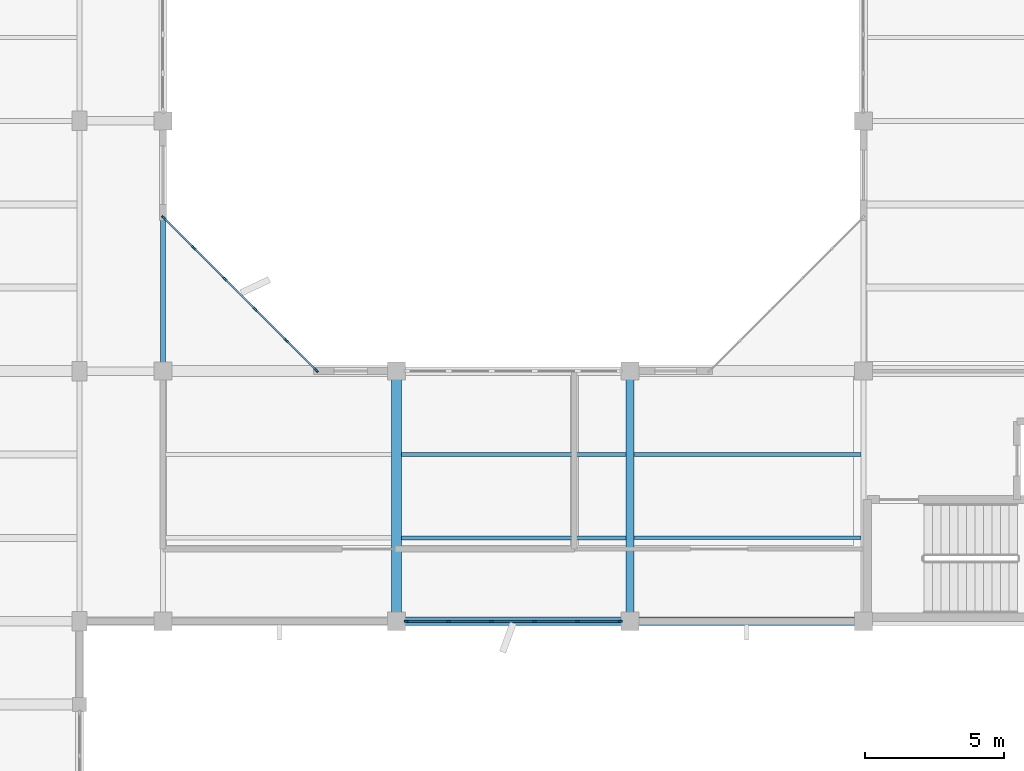
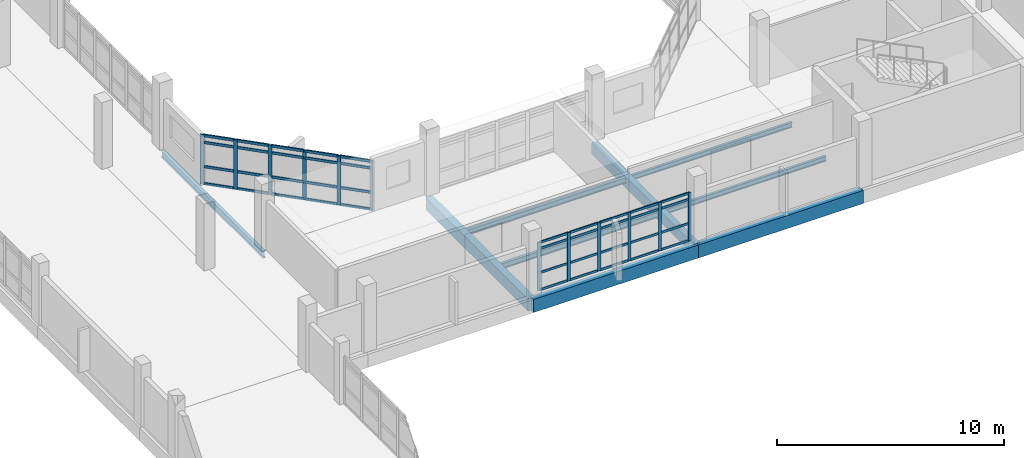
# One storey, part 12 of 104: 52 members, 9 beams, 2 elements without a shape of their own.
"""IFC4 building model written with IfcOpenShell, lengths in metres."""

from ifc_helpers import new_model, si_unit, direction, frame, origin, origin_2d, place, context, subcontext, project, spatial, rectangle, i_section, extrude, material, material_profile, profile_set, type_object, element, aggregate, save


model = new_model("IFC4")

# Units and contexts
model_context = context("Model", 3, precision=1e-05, world=origin(), true_north=direction((0.0, 1.0)))
body_context = subcontext(model_context, "Body", "Model", "MODEL_VIEW")
ifc_project = project(units=[si_unit("LENGTHUNIT", "METRE"), si_unit("AREAUNIT", "SQUARE_METRE"), si_unit("VOLUMEUNIT", "CUBIC_METRE"), si_unit("PLANEANGLEUNIT", "RADIAN"), si_unit("MASSUNIT", "GRAM", prefix="KILO")], contexts=[model_context])

# Site, building, storey
site_placement = place(None, origin())
site = spatial("IfcSite", under=ifc_project, at=site_placement, CompositionType="ELEMENT")
building_placement = place(site_placement, origin())
building = spatial("IfcBuilding", under=site, at=building_placement, Name="Vanh Quang Courtyard School", CompositionType="ELEMENT")
storey_placement = place(building_placement, frame((0.0, 0.0, 4.199951171875)))
storey = spatial("IfcBuildingStorey", under=building, at=storey_placement, Name="L01", CompositionType="ELEMENT", Elevation=4.199951171875)

# Beams
ifc_material_1 = material(Name="Concrete C35/45", Category="concrete")
ifc_material_profile_1 = material_profile(ifc_material_1, rectangle(XDim=0.300048828125, YDim=0.60009765625, at=origin_2d()), Name="RC-BM 300x600")
ifc_profile_set_1 = profile_set([ifc_material_profile_1], Name="Concrete C35/45")
beam_type_1 = type_object("IfcBeamType", Name="BM-RC-300x600", PredefinedType="BEAM", material=ifc_profile_set_1)
beam_1_placement = place(storey_placement, frame((57.60009765625, 32.39990234375, -0.579833984375), z_axis=(0.0, 1.0, 0.0), x_axis=(-1.0, 0.0, 0.0)))
element("IfcBeam", 1, at=beam_1_placement, inside=storey, type_object=beam_type_1, Name="Beam B-06 (L01)", PredefinedType="BEAM", context=body_context, shape_type="SweptSolid", body=[
    extrude(rectangle(XDim=0.300048828125, YDim=0.60009765625, at=origin_2d()), origin(), (0.0, 0.0, 1.0), 9.0),
])
ifc_material_profile_2 = material_profile(ifc_material_1, rectangle(XDim=0.35009765625, YDim=0.64990234375, at=origin_2d()), Name="RC-BM 350x650")
ifc_profile_set_2 = profile_set([ifc_material_profile_2], Name="Concrete C35/45")
beam_type_2 = type_object("IfcBeamType", Name="BM-RC-350x650", PredefinedType="BEAM", material=ifc_profile_set_2)
beam_2_placement = place(storey_placement, frame((49.199951171875, 32.39990234375, -0.60498046875), z_axis=(0.0, 1.0, 0.0), x_axis=(-1.0, 0.0, 0.0)))
element("IfcBeam", 2, at=beam_2_placement, inside=storey, type_object=beam_type_2, Name="Beam B-05 (L01)", PredefinedType="BEAM", context=body_context, shape_type="SweptSolid", body=[
    extrude(rectangle(XDim=0.35009765625, YDim=0.64990234375, at=origin_2d()), origin(), (0.0, 0.0, 1.0), 9.0),
])
ifc_material_profile_3 = material_profile(ifc_material_1, rectangle(XDim=0.300048828125, YDim=0.699951171875, at=origin_2d()), Name="RC-SP 300x700")
ifc_profile_set_3 = profile_set([ifc_material_profile_3], Name="Concrete C35/45")
beam_type_3 = type_object("IfcBeamType", Name="BM-SP-300x700", PredefinedType="SPANDREL", material=ifc_profile_set_3)
beam_3_placement = place(storey_placement, frame((49.199951171875, 32.39990234375, -0.6298828125), z_axis=(1.0, 0.0, 0.0), x_axis=(0.0, 1.0, 0.0)))
element("IfcBeam", 3, at=beam_3_placement, inside=storey, type_object=beam_type_3, Name="Beam BS-01 (L01)", PredefinedType="SPANDREL", context=body_context, shape_type="SweptSolid", body=[
    extrude(rectangle(XDim=0.300048828125, YDim=0.699951171875, at=origin_2d()), origin(), (0.0, 0.0, 1.0), 8.400146484375),
])
beam_4_placement = place(storey_placement, frame((57.60009765625, 32.39990234375, -0.6298828125), z_axis=(1.0, 0.0, 0.0), x_axis=(0.0, 1.0, 0.0)))
element("IfcBeam", 4, at=beam_4_placement, inside=storey, type_object=beam_type_3, Name="Beam BS-01 (L01)", PredefinedType="SPANDREL", context=body_context, shape_type="SweptSolid", body=[
    extrude(rectangle(XDim=0.300048828125, YDim=0.699951171875, at=origin_2d()), origin(), (0.0, 0.0, 1.0), 8.39990234375),
])
ifc_material_2 = material(Name="Structural steel EN 10025-2 S355J2", Category="steel")
ifc_material_profile_4 = material_profile(ifc_material_2, i_section(OverallWidth=0.169921875, OverallDepth=0.360107421875, WebThickness=0.008056640625, FlangeThickness=0.0126953125, FilletRadius=0.01806640625, at=origin_2d()), Name="IPE 360")
ifc_profile_set_4 = profile_set([ifc_material_profile_4], Name="Structural steel EN 10025-2 S355J2")
beam_type_4 = type_object("IfcBeamType", Name="BM-STL-IPE360", PredefinedType="BEAM", material=ifc_profile_set_4)
beam_5_placement = place(storey_placement, frame((40.800048828125, 41.39990234375, -0.4599609375), z_axis=(0.0, 1.0, 0.0), x_axis=(-1.0, 0.0, 0.0)))
element("IfcBeam", 5, at=beam_5_placement, inside=storey, type_object=beam_type_4, Name="Beam SB-06 (L01)", PredefinedType="BEAM", context=body_context, shape_type="SweptSolid", body=[
    extrude(i_section(OverallWidth=0.169921875, OverallDepth=0.360107421875, WebThickness=0.008056640625, FlangeThickness=0.0126953125, FilletRadius=0.01806640625, at=origin_2d()), origin(), (0.0, 0.0, 1.0), 9.0),
])

# Curtain wall, members
ifc_material_3 = material(Name="Thermally broken aluminium unitised curtain wall", Category="aluminium")
curtain_wall_type_1 = type_object("IfcCurtainWallType", Name="CW-SYS-21", PredefinedType="NOTDEFINED", material=ifc_material_3)
curtain_wall_1_placement = place(storey_placement, origin())
curtain_wall_1 = element("IfcCurtainWall", 6, at=curtain_wall_1_placement, inside=storey, type_object=curtain_wall_type_1, Name="Curtain Wall CW-21 (L01)", PredefinedType="NOTDEFINED")
ifc_material_4 = material(Name="Anodised aluminium 6063-T6", Category="aluminium")
ifc_material_profile_5 = material_profile(ifc_material_4, rectangle(XDim=0.06005859375, YDim=0.159912109375, at=origin_2d()), Name="ALU-MUL 60x160")
ifc_profile_set_5 = profile_set([ifc_material_profile_5], Name="Anodised aluminium 6063-T6")
member_type_1 = type_object("IfcMemberType", Name="CW-MUL-60x160", PredefinedType="MULLION", material=ifc_profile_set_5)
member_1_placement = place(storey_placement, frame((57.237060546875, 32.39990234375, 0.0), z_axis=(0.0, 0.0, 1.0), x_axis=(0.0, -1.0, 0.0)))
member_1 = element("IfcMember", 7, at=member_1_placement, type_object=member_type_1, Name="CW-21 mullion 1", PredefinedType="MULLION", context=body_context, shape_type="SweptSolid", body=[
    extrude(rectangle(XDim=0.06005859375, YDim=0.159912109375, at=origin_2d()), origin(), (0.0, 0.0, 1.0), 2.60009765625),
])
member_2_placement = place(storey_placement, frame((55.72021484375, 32.39990234375, 0.0), z_axis=(0.0, 0.0, 1.0), x_axis=(0.0, -1.0, 0.0)))
member_2 = element("IfcMember", 8, at=member_2_placement, type_object=member_type_1, Name="CW-21 mullion 2", PredefinedType="MULLION", context=body_context, shape_type="SweptSolid", body=[
    extrude(rectangle(XDim=0.06005859375, YDim=0.159912109375, at=origin_2d()), origin(), (0.0, 0.0, 1.0), 2.60009765625),
])
member_3_placement = place(storey_placement, frame((54.17333984375, 32.39990234375, 0.0), z_axis=(0.0, 0.0, 1.0), x_axis=(0.0, -1.0, 0.0)))
member_3 = element("IfcMember", 9, at=member_3_placement, type_object=member_type_1, Name="CW-21 mullion 3", PredefinedType="MULLION", context=body_context, shape_type="SweptSolid", body=[
    extrude(rectangle(XDim=0.06005859375, YDim=0.159912109375, at=origin_2d()), origin(), (0.0, 0.0, 1.0), 2.60009765625),
])
member_4_placement = place(storey_placement, frame((52.626708984375, 32.39990234375, 0.0), z_axis=(0.0, 0.0, 1.0), x_axis=(0.0, -1.0, 0.0)))
member_4 = element("IfcMember", 10, at=member_4_placement, type_object=member_type_1, Name="CW-21 mullion 4", PredefinedType="MULLION", context=body_context, shape_type="SweptSolid", body=[
    extrude(rectangle(XDim=0.06005859375, YDim=0.159912109375, at=origin_2d()), origin(), (0.0, 0.0, 1.0), 2.60009765625),
])
member_5_placement = place(storey_placement, frame((51.079833984375, 32.39990234375, 0.0), z_axis=(0.0, 0.0, 1.0), x_axis=(0.0, -1.0, 0.0)))
member_5 = element("IfcMember", 11, at=member_5_placement, type_object=member_type_1, Name="CW-21 mullion 5", PredefinedType="MULLION", context=body_context, shape_type="SweptSolid", body=[
    extrude(rectangle(XDim=0.06005859375, YDim=0.159912109375, at=origin_2d()), origin(), (0.0, 0.0, 1.0), 2.60009765625),
])
member_6_placement = place(storey_placement, frame((49.56298828125, 32.39990234375, 0.0), z_axis=(0.0, 0.0, 1.0), x_axis=(0.0, -1.0, 0.0)))
member_6 = element("IfcMember", 12, at=member_6_placement, type_object=member_type_1, Name="CW-21 mullion 6", PredefinedType="MULLION", context=body_context, shape_type="SweptSolid", body=[
    extrude(rectangle(XDim=0.06005859375, YDim=0.159912109375, at=origin_2d()), origin(), (0.0, 0.0, 1.0), 2.60009765625),
])

curtain_wall_type_2 = type_object("IfcCurtainWallType", Name="CW-SYS-24", PredefinedType="NOTDEFINED", material=ifc_material_3)
curtain_wall_2_placement = place(storey_placement, origin())
curtain_wall_2 = element("IfcCurtainWall", 13, at=curtain_wall_2_placement, inside=storey, type_object=curtain_wall_type_2, Name="Curtain Wall CW-24 (L01)", PredefinedType="NOTDEFINED")
ifc_material_profile_6 = material_profile(ifc_material_4, rectangle(XDim=0.070068359375, YDim=0.179931640625, at=origin_2d()), Name="ALU-MUL 70x180")
ifc_profile_set_6 = profile_set([ifc_material_profile_6], Name="Anodised aluminium 6063-T6")
member_type_2 = type_object("IfcMemberType", Name="CW-MUL-70x180", PredefinedType="MULLION", material=ifc_profile_set_6)
member_7_placement = place(storey_placement, frame((40.82470703125, 46.919189453125, 0.0), z_axis=(0.0, 0.0, 1.0), x_axis=(0.707106781187, 0.707106781187, 0.0)))
member_7 = element("IfcMember", 14, at=member_7_placement, type_object=member_type_2, Name="CW-24 mullion 1", PredefinedType="MULLION", context=body_context, shape_type="SweptSolid", body=[
    extrude(rectangle(XDim=0.070068359375, YDim=0.179931640625, at=origin_2d()), origin(), (0.0, 0.0, 1.0), 2.650146484375),
])
member_8_placement = place(storey_placement, frame((41.90869140625, 45.835205078125, 0.0), z_axis=(0.0, 0.0, 1.0), x_axis=(0.707106781187, 0.707106781187, 0.0)))
member_8 = element("IfcMember", 15, at=member_8_placement, type_object=member_type_2, Name="CW-24 mullion 2", PredefinedType="MULLION", context=body_context, shape_type="SweptSolid", body=[
    extrude(rectangle(XDim=0.070068359375, YDim=0.179931640625, at=origin_2d()), origin(), (0.0, 0.0, 1.0), 2.650146484375),
])
member_9_placement = place(storey_placement, frame((43.017578125, 44.726318359375, 0.0), z_axis=(0.0, 0.0, 1.0), x_axis=(0.707106781187, 0.707106781187, 0.0)))
member_9 = element("IfcMember", 16, at=member_9_placement, type_object=member_type_2, Name="CW-24 mullion 3", PredefinedType="MULLION", context=body_context, shape_type="SweptSolid", body=[
    extrude(rectangle(XDim=0.070068359375, YDim=0.179931640625, at=origin_2d()), origin(), (0.0, 0.0, 1.0), 2.650146484375),
])
member_10_placement = place(storey_placement, frame((44.12646484375, 43.61767578125, 0.0), z_axis=(0.0, 0.0, 1.0), x_axis=(0.707106781187, 0.707106781187, 0.0)))
member_10 = element("IfcMember", 17, at=member_10_placement, type_object=member_type_2, Name="CW-24 mullion 4", PredefinedType="MULLION", context=body_context, shape_type="SweptSolid", body=[
    extrude(rectangle(XDim=0.070068359375, YDim=0.179931640625, at=origin_2d()), origin(), (0.0, 0.0, 1.0), 2.650146484375),
])
member_11_placement = place(storey_placement, frame((45.235107421875, 42.5087890625, 0.0), z_axis=(0.0, 0.0, 1.0), x_axis=(0.707106781187, 0.707106781187, 0.0)))
member_11 = element("IfcMember", 18, at=member_11_placement, type_object=member_type_2, Name="CW-24 mullion 5", PredefinedType="MULLION", context=body_context, shape_type="SweptSolid", body=[
    extrude(rectangle(XDim=0.070068359375, YDim=0.179931640625, at=origin_2d()), origin(), (0.0, 0.0, 1.0), 2.650146484375),
])
member_12_placement = place(storey_placement, frame((46.3193359375, 41.4248046875, 0.0), z_axis=(0.0, 0.0, 1.0), x_axis=(0.707106781187, 0.707106781187, 0.0)))
member_12 = element("IfcMember", 19, at=member_12_placement, type_object=member_type_2, Name="CW-24 mullion 6", PredefinedType="MULLION", context=body_context, shape_type="SweptSolid", body=[
    extrude(rectangle(XDim=0.070068359375, YDim=0.179931640625, at=origin_2d()), origin(), (0.0, 0.0, 1.0), 2.650146484375),
])

# Member
ifc_material_profile_7 = material_profile(ifc_material_4, rectangle(XDim=0.06005859375, YDim=0.1201171875, at=origin_2d()), Name="ALU-TRN 60x120")
ifc_profile_set_7 = profile_set([ifc_material_profile_7], Name="Anodised aluminium 6063-T6")
member_type_3 = type_object("IfcMemberType", Name="CW-TRN-60x120", PredefinedType="USERDEFINED", material=ifc_profile_set_7)
member_13_placement = place(storey_placement, frame((57.20703125, 32.39990234375, 0.030029296875), z_axis=(-1.0, 0.0, 0.0), x_axis=(0.0, -1.0, 0.0)))
member_13 = element("IfcMember", 20, at=member_13_placement, type_object=member_type_3, Name="CW-21 transom 1.1", ObjectType="TRANSOM", PredefinedType="USERDEFINED", context=body_context, shape_type="SweptSolid", body=[
    extrude(rectangle(XDim=0.06005859375, YDim=0.1201171875, at=origin_2d()), origin(), (0.0, 0.0, 1.0), 1.456787109375),
])

member_14_placement = place(storey_placement, frame((57.20703125, 32.39990234375, 0.949951171875), z_axis=(-1.0, 0.0, 0.0), x_axis=(0.0, -1.0, 0.0)))
member_14 = element("IfcMember", 21, at=member_14_placement, type_object=member_type_3, Name="CW-21 transom 1.2", ObjectType="TRANSOM", PredefinedType="USERDEFINED", context=body_context, shape_type="SweptSolid", body=[
    extrude(rectangle(XDim=0.06005859375, YDim=0.1201171875, at=origin_2d()), origin(), (0.0, 0.0, 1.0), 1.456787109375),
])

member_15_placement = place(storey_placement, frame((57.20703125, 32.39990234375, 2.25), z_axis=(-1.0, 0.0, 0.0), x_axis=(0.0, -1.0, 0.0)))
member_15 = element("IfcMember", 22, at=member_15_placement, type_object=member_type_3, Name="CW-21 transom 1.3", ObjectType="TRANSOM", PredefinedType="USERDEFINED", context=body_context, shape_type="SweptSolid", body=[
    extrude(rectangle(XDim=0.06005859375, YDim=0.1201171875, at=origin_2d()), origin(), (0.0, 0.0, 1.0), 1.456787109375),
])

member_16_placement = place(storey_placement, frame((57.20703125, 32.39990234375, 2.570068359375), z_axis=(-1.0, 0.0, 0.0), x_axis=(0.0, -1.0, 0.0)))
member_16 = element("IfcMember", 23, at=member_16_placement, type_object=member_type_3, Name="CW-21 transom 1.4", ObjectType="TRANSOM", PredefinedType="USERDEFINED", context=body_context, shape_type="SweptSolid", body=[
    extrude(rectangle(XDim=0.06005859375, YDim=0.1201171875, at=origin_2d()), origin(), (0.0, 0.0, 1.0), 1.456787109375),
])

member_17_placement = place(storey_placement, frame((55.690185546875, 32.39990234375, 0.030029296875), z_axis=(-1.0, 0.0, 0.0), x_axis=(0.0, -1.0, 0.0)))
member_17 = element("IfcMember", 24, at=member_17_placement, type_object=member_type_3, Name="CW-21 transom 2.1", ObjectType="TRANSOM", PredefinedType="USERDEFINED", context=body_context, shape_type="SweptSolid", body=[
    extrude(rectangle(XDim=0.06005859375, YDim=0.1201171875, at=origin_2d()), origin(), (0.0, 0.0, 1.0), 1.48681640625),
])

member_18_placement = place(storey_placement, frame((55.690185546875, 32.39990234375, 0.949951171875), z_axis=(-1.0, 0.0, 0.0), x_axis=(0.0, -1.0, 0.0)))
member_18 = element("IfcMember", 25, at=member_18_placement, type_object=member_type_3, Name="CW-21 transom 2.2", ObjectType="TRANSOM", PredefinedType="USERDEFINED", context=body_context, shape_type="SweptSolid", body=[
    extrude(rectangle(XDim=0.06005859375, YDim=0.1201171875, at=origin_2d()), origin(), (0.0, 0.0, 1.0), 1.48681640625),
])

member_19_placement = place(storey_placement, frame((55.690185546875, 32.39990234375, 2.25), z_axis=(-1.0, 0.0, 0.0), x_axis=(0.0, -1.0, 0.0)))
member_19 = element("IfcMember", 26, at=member_19_placement, type_object=member_type_3, Name="CW-21 transom 2.3", ObjectType="TRANSOM", PredefinedType="USERDEFINED", context=body_context, shape_type="SweptSolid", body=[
    extrude(rectangle(XDim=0.06005859375, YDim=0.1201171875, at=origin_2d()), origin(), (0.0, 0.0, 1.0), 1.48681640625),
])

member_20_placement = place(storey_placement, frame((55.690185546875, 32.39990234375, 2.570068359375), z_axis=(-1.0, 0.0, 0.0), x_axis=(0.0, -1.0, 0.0)))
member_20 = element("IfcMember", 27, at=member_20_placement, type_object=member_type_3, Name="CW-21 transom 2.4", ObjectType="TRANSOM", PredefinedType="USERDEFINED", context=body_context, shape_type="SweptSolid", body=[
    extrude(rectangle(XDim=0.06005859375, YDim=0.1201171875, at=origin_2d()), origin(), (0.0, 0.0, 1.0), 1.48681640625),
])

member_21_placement = place(storey_placement, frame((54.143310546875, 32.39990234375, 0.030029296875), z_axis=(-1.0, 0.0, 0.0), x_axis=(0.0, -1.0, 0.0)))
member_21 = element("IfcMember", 28, at=member_21_placement, type_object=member_type_3, Name="CW-21 transom 3.1", ObjectType="TRANSOM", PredefinedType="USERDEFINED", context=body_context, shape_type="SweptSolid", body=[
    extrude(rectangle(XDim=0.06005859375, YDim=0.1201171875, at=origin_2d()), origin(), (0.0, 0.0, 1.0), 1.48681640625),
])

member_22_placement = place(storey_placement, frame((54.143310546875, 32.39990234375, 0.949951171875), z_axis=(-1.0, 0.0, 0.0), x_axis=(0.0, -1.0, 0.0)))
member_22 = element("IfcMember", 29, at=member_22_placement, type_object=member_type_3, Name="CW-21 transom 3.2", ObjectType="TRANSOM", PredefinedType="USERDEFINED", context=body_context, shape_type="SweptSolid", body=[
    extrude(rectangle(XDim=0.06005859375, YDim=0.1201171875, at=origin_2d()), origin(), (0.0, 0.0, 1.0), 1.48681640625),
])

member_23_placement = place(storey_placement, frame((54.143310546875, 32.39990234375, 2.25), z_axis=(-1.0, 0.0, 0.0), x_axis=(0.0, -1.0, 0.0)))
member_23 = element("IfcMember", 30, at=member_23_placement, type_object=member_type_3, Name="CW-21 transom 3.3", ObjectType="TRANSOM", PredefinedType="USERDEFINED", context=body_context, shape_type="SweptSolid", body=[
    extrude(rectangle(XDim=0.06005859375, YDim=0.1201171875, at=origin_2d()), origin(), (0.0, 0.0, 1.0), 1.48681640625),
])

member_24_placement = place(storey_placement, frame((54.143310546875, 32.39990234375, 2.570068359375), z_axis=(-1.0, 0.0, 0.0), x_axis=(0.0, -1.0, 0.0)))
member_24 = element("IfcMember", 31, at=member_24_placement, type_object=member_type_3, Name="CW-21 transom 3.4", ObjectType="TRANSOM", PredefinedType="USERDEFINED", context=body_context, shape_type="SweptSolid", body=[
    extrude(rectangle(XDim=0.06005859375, YDim=0.1201171875, at=origin_2d()), origin(), (0.0, 0.0, 1.0), 1.48681640625),
])

member_25_placement = place(storey_placement, frame((52.5966796875, 32.39990234375, 0.030029296875), z_axis=(-1.0, 0.0, 0.0), x_axis=(0.0, -1.0, 0.0)))
member_25 = element("IfcMember", 32, at=member_25_placement, type_object=member_type_3, Name="CW-21 transom 4.1", ObjectType="TRANSOM", PredefinedType="USERDEFINED", context=body_context, shape_type="SweptSolid", body=[
    extrude(rectangle(XDim=0.06005859375, YDim=0.1201171875, at=origin_2d()), origin(), (0.0, 0.0, 1.0), 1.48681640625),
])

member_26_placement = place(storey_placement, frame((52.5966796875, 32.39990234375, 0.949951171875), z_axis=(-1.0, 0.0, 0.0), x_axis=(0.0, -1.0, 0.0)))
member_26 = element("IfcMember", 33, at=member_26_placement, type_object=member_type_3, Name="CW-21 transom 4.2", ObjectType="TRANSOM", PredefinedType="USERDEFINED", context=body_context, shape_type="SweptSolid", body=[
    extrude(rectangle(XDim=0.06005859375, YDim=0.1201171875, at=origin_2d()), origin(), (0.0, 0.0, 1.0), 1.48681640625),
])

member_27_placement = place(storey_placement, frame((52.5966796875, 32.39990234375, 2.25), z_axis=(-1.0, 0.0, 0.0), x_axis=(0.0, -1.0, 0.0)))
member_27 = element("IfcMember", 34, at=member_27_placement, type_object=member_type_3, Name="CW-21 transom 4.3", ObjectType="TRANSOM", PredefinedType="USERDEFINED", context=body_context, shape_type="SweptSolid", body=[
    extrude(rectangle(XDim=0.06005859375, YDim=0.1201171875, at=origin_2d()), origin(), (0.0, 0.0, 1.0), 1.48681640625),
])

member_28_placement = place(storey_placement, frame((52.5966796875, 32.39990234375, 2.570068359375), z_axis=(-1.0, 0.0, 0.0), x_axis=(0.0, -1.0, 0.0)))
member_28 = element("IfcMember", 35, at=member_28_placement, type_object=member_type_3, Name="CW-21 transom 4.4", ObjectType="TRANSOM", PredefinedType="USERDEFINED", context=body_context, shape_type="SweptSolid", body=[
    extrude(rectangle(XDim=0.06005859375, YDim=0.1201171875, at=origin_2d()), origin(), (0.0, 0.0, 1.0), 1.48681640625),
])

member_29_placement = place(storey_placement, frame((51.0498046875, 32.39990234375, 0.030029296875), z_axis=(-1.0, 0.0, 0.0), x_axis=(0.0, -1.0, 0.0)))
member_29 = element("IfcMember", 36, at=member_29_placement, type_object=member_type_3, Name="CW-21 transom 5.1", ObjectType="TRANSOM", PredefinedType="USERDEFINED", context=body_context, shape_type="SweptSolid", body=[
    extrude(rectangle(XDim=0.06005859375, YDim=0.1201171875, at=origin_2d()), origin(), (0.0, 0.0, 1.0), 1.456787109375),
])

member_30_placement = place(storey_placement, frame((51.0498046875, 32.39990234375, 0.949951171875), z_axis=(-1.0, 0.0, 0.0), x_axis=(0.0, -1.0, 0.0)))
member_30 = element("IfcMember", 37, at=member_30_placement, type_object=member_type_3, Name="CW-21 transom 5.2", ObjectType="TRANSOM", PredefinedType="USERDEFINED", context=body_context, shape_type="SweptSolid", body=[
    extrude(rectangle(XDim=0.06005859375, YDim=0.1201171875, at=origin_2d()), origin(), (0.0, 0.0, 1.0), 1.456787109375),
])

member_31_placement = place(storey_placement, frame((51.0498046875, 32.39990234375, 2.25), z_axis=(-1.0, 0.0, 0.0), x_axis=(0.0, -1.0, 0.0)))
member_31 = element("IfcMember", 38, at=member_31_placement, type_object=member_type_3, Name="CW-21 transom 5.3", ObjectType="TRANSOM", PredefinedType="USERDEFINED", context=body_context, shape_type="SweptSolid", body=[
    extrude(rectangle(XDim=0.06005859375, YDim=0.1201171875, at=origin_2d()), origin(), (0.0, 0.0, 1.0), 1.456787109375),
])

member_32_placement = place(storey_placement, frame((51.0498046875, 32.39990234375, 2.570068359375), z_axis=(-1.0, 0.0, 0.0), x_axis=(0.0, -1.0, 0.0)))
member_32 = element("IfcMember", 39, at=member_32_placement, type_object=member_type_3, Name="CW-21 transom 5.4", ObjectType="TRANSOM", PredefinedType="USERDEFINED", context=body_context, shape_type="SweptSolid", body=[
    extrude(rectangle(XDim=0.06005859375, YDim=0.1201171875, at=origin_2d()), origin(), (0.0, 0.0, 1.0), 1.456787109375),
])

aggregate(curtain_wall_1, [member_1, member_2, member_3, member_4, member_5, member_6, member_13, member_14, member_15, member_16, member_17, member_18, member_19, member_20, member_21, member_22, member_23, member_24, member_25, member_26, member_27, member_28, member_29, member_30, member_31, member_32])

ifc_material_profile_8 = material_profile(ifc_material_4, rectangle(XDim=0.070068359375, YDim=0.139892578125, at=origin_2d()), Name="ALU-TRN 70x140")
ifc_profile_set_8 = profile_set([ifc_material_profile_8], Name="Anodised aluminium 6063-T6")
member_type_4 = type_object("IfcMemberType", Name="CW-TRN-70x140", PredefinedType="USERDEFINED", material=ifc_profile_set_8)
member_33_placement = place(storey_placement, frame((40.849609375, 46.89453125, 0.03515625), z_axis=(0.707023341836, -0.707190210692, 0.0), x_axis=(0.707190210692, 0.707023341836, 0.0)))
member_33 = element("IfcMember", 40, at=member_33_placement, type_object=member_type_4, Name="CW-24 transom 1.1", ObjectType="TRANSOM", PredefinedType="USERDEFINED", context=body_context, shape_type="SweptSolid", body=[
    extrude(rectangle(XDim=0.070068359375, YDim=0.139892578125, at=origin_2d()), origin(), (0.0, 0.0, 1.0), 1.463134765625),
])

member_34_placement = place(storey_placement, frame((40.849609375, 46.89453125, 0.949951171875), z_axis=(0.707023341836, -0.707190210692, 0.0), x_axis=(0.707190210692, 0.707023341836, 0.0)))
member_34 = element("IfcMember", 41, at=member_34_placement, type_object=member_type_4, Name="CW-24 transom 1.2", ObjectType="TRANSOM", PredefinedType="USERDEFINED", context=body_context, shape_type="SweptSolid", body=[
    extrude(rectangle(XDim=0.070068359375, YDim=0.139892578125, at=origin_2d()), origin(), (0.0, 0.0, 1.0), 1.463134765625),
])

member_35_placement = place(storey_placement, frame((40.849609375, 46.89453125, 2.25), z_axis=(0.707023341836, -0.707190210692, 0.0), x_axis=(0.707190210692, 0.707023341836, 0.0)))
member_35 = element("IfcMember", 42, at=member_35_placement, type_object=member_type_4, Name="CW-24 transom 1.3", ObjectType="TRANSOM", PredefinedType="USERDEFINED", context=body_context, shape_type="SweptSolid", body=[
    extrude(rectangle(XDim=0.070068359375, YDim=0.139892578125, at=origin_2d()), origin(), (0.0, 0.0, 1.0), 1.463134765625),
])

member_36_placement = place(storey_placement, frame((40.849609375, 46.89453125, 2.614990234375), z_axis=(0.707023341836, -0.707190210692, 0.0), x_axis=(0.707190210692, 0.707023341836, 0.0)))
member_36 = element("IfcMember", 43, at=member_36_placement, type_object=member_type_4, Name="CW-24 transom 1.4", ObjectType="TRANSOM", PredefinedType="USERDEFINED", context=body_context, shape_type="SweptSolid", body=[
    extrude(rectangle(XDim=0.070068359375, YDim=0.139892578125, at=origin_2d()), origin(), (0.0, 0.0, 1.0), 1.463134765625),
])

member_37_placement = place(storey_placement, frame((41.93359375, 45.810546875, 0.03515625), z_axis=(0.707106781187, -0.707106781187, 0.0), x_axis=(0.707106781187, 0.707106781187, 0.0)))
member_37 = element("IfcMember", 44, at=member_37_placement, type_object=member_type_4, Name="CW-24 transom 2.1", ObjectType="TRANSOM", PredefinedType="USERDEFINED", context=body_context, shape_type="SweptSolid", body=[
    extrude(rectangle(XDim=0.070068359375, YDim=0.139892578125, at=origin_2d()), origin(), (0.0, 0.0, 1.0), 1.498046875),
])

member_38_placement = place(storey_placement, frame((41.93359375, 45.810546875, 0.949951171875), z_axis=(0.707106781187, -0.707106781187, 0.0), x_axis=(0.707106781187, 0.707106781187, 0.0)))
member_38 = element("IfcMember", 45, at=member_38_placement, type_object=member_type_4, Name="CW-24 transom 2.2", ObjectType="TRANSOM", PredefinedType="USERDEFINED", context=body_context, shape_type="SweptSolid", body=[
    extrude(rectangle(XDim=0.070068359375, YDim=0.139892578125, at=origin_2d()), origin(), (0.0, 0.0, 1.0), 1.498046875),
])

member_39_placement = place(storey_placement, frame((41.93359375, 45.810546875, 2.25), z_axis=(0.707106781187, -0.707106781187, 0.0), x_axis=(0.707106781187, 0.707106781187, 0.0)))
member_39 = element("IfcMember", 46, at=member_39_placement, type_object=member_type_4, Name="CW-24 transom 2.3", ObjectType="TRANSOM", PredefinedType="USERDEFINED", context=body_context, shape_type="SweptSolid", body=[
    extrude(rectangle(XDim=0.070068359375, YDim=0.139892578125, at=origin_2d()), origin(), (0.0, 0.0, 1.0), 1.498046875),
])

member_40_placement = place(storey_placement, frame((41.93359375, 45.810546875, 2.614990234375), z_axis=(0.707106781187, -0.707106781187, 0.0), x_axis=(0.707106781187, 0.707106781187, 0.0)))
member_40 = element("IfcMember", 47, at=member_40_placement, type_object=member_type_4, Name="CW-24 transom 2.4", ObjectType="TRANSOM", PredefinedType="USERDEFINED", context=body_context, shape_type="SweptSolid", body=[
    extrude(rectangle(XDim=0.070068359375, YDim=0.139892578125, at=origin_2d()), origin(), (0.0, 0.0, 1.0), 1.498046875),
])

member_41_placement = place(storey_placement, frame((43.042236328125, 44.70166015625, 0.03515625), z_axis=(0.707106781187, -0.707106781187, 0.0), x_axis=(0.707106781187, 0.707106781187, 0.0)))
member_41 = element("IfcMember", 48, at=member_41_placement, type_object=member_type_4, Name="CW-24 transom 3.1", ObjectType="TRANSOM", PredefinedType="USERDEFINED", context=body_context, shape_type="SweptSolid", body=[
    extrude(rectangle(XDim=0.070068359375, YDim=0.139892578125, at=origin_2d()), origin(), (0.0, 0.0, 1.0), 1.498046875),
])

member_42_placement = place(storey_placement, frame((43.042236328125, 44.70166015625, 0.949951171875), z_axis=(0.707106781187, -0.707106781187, 0.0), x_axis=(0.707106781187, 0.707106781187, 0.0)))
member_42 = element("IfcMember", 49, at=member_42_placement, type_object=member_type_4, Name="CW-24 transom 3.2", ObjectType="TRANSOM", PredefinedType="USERDEFINED", context=body_context, shape_type="SweptSolid", body=[
    extrude(rectangle(XDim=0.070068359375, YDim=0.139892578125, at=origin_2d()), origin(), (0.0, 0.0, 1.0), 1.498046875),
])

member_43_placement = place(storey_placement, frame((43.042236328125, 44.70166015625, 2.25), z_axis=(0.707106781187, -0.707106781187, 0.0), x_axis=(0.707106781187, 0.707106781187, 0.0)))
member_43 = element("IfcMember", 50, at=member_43_placement, type_object=member_type_4, Name="CW-24 transom 3.3", ObjectType="TRANSOM", PredefinedType="USERDEFINED", context=body_context, shape_type="SweptSolid", body=[
    extrude(rectangle(XDim=0.070068359375, YDim=0.139892578125, at=origin_2d()), origin(), (0.0, 0.0, 1.0), 1.498046875),
])

member_44_placement = place(storey_placement, frame((43.042236328125, 44.70166015625, 2.614990234375), z_axis=(0.707106781187, -0.707106781187, 0.0), x_axis=(0.707106781187, 0.707106781187, 0.0)))
member_44 = element("IfcMember", 51, at=member_44_placement, type_object=member_type_4, Name="CW-24 transom 3.4", ObjectType="TRANSOM", PredefinedType="USERDEFINED", context=body_context, shape_type="SweptSolid", body=[
    extrude(rectangle(XDim=0.070068359375, YDim=0.139892578125, at=origin_2d()), origin(), (0.0, 0.0, 1.0), 1.498046875),
])

member_45_placement = place(storey_placement, frame((44.151123046875, 43.5927734375, 0.03515625), z_axis=(0.707106781187, -0.707106781187, 0.0), x_axis=(0.707106781187, 0.707106781187, 0.0)))
member_45 = element("IfcMember", 52, at=member_45_placement, type_object=member_type_4, Name="CW-24 transom 4.1", ObjectType="TRANSOM", PredefinedType="USERDEFINED", context=body_context, shape_type="SweptSolid", body=[
    extrude(rectangle(XDim=0.070068359375, YDim=0.139892578125, at=origin_2d()), origin(), (0.0, 0.0, 1.0), 1.498046875),
])

member_46_placement = place(storey_placement, frame((44.151123046875, 43.5927734375, 0.949951171875), z_axis=(0.707106781187, -0.707106781187, 0.0), x_axis=(0.707106781187, 0.707106781187, 0.0)))
member_46 = element("IfcMember", 53, at=member_46_placement, type_object=member_type_4, Name="CW-24 transom 4.2", ObjectType="TRANSOM", PredefinedType="USERDEFINED", context=body_context, shape_type="SweptSolid", body=[
    extrude(rectangle(XDim=0.070068359375, YDim=0.139892578125, at=origin_2d()), origin(), (0.0, 0.0, 1.0), 1.498046875),
])

member_47_placement = place(storey_placement, frame((44.151123046875, 43.5927734375, 2.25), z_axis=(0.707106781187, -0.707106781187, 0.0), x_axis=(0.707106781187, 0.707106781187, 0.0)))
member_47 = element("IfcMember", 54, at=member_47_placement, type_object=member_type_4, Name="CW-24 transom 4.3", ObjectType="TRANSOM", PredefinedType="USERDEFINED", context=body_context, shape_type="SweptSolid", body=[
    extrude(rectangle(XDim=0.070068359375, YDim=0.139892578125, at=origin_2d()), origin(), (0.0, 0.0, 1.0), 1.498046875),
])

member_48_placement = place(storey_placement, frame((44.151123046875, 43.5927734375, 2.614990234375), z_axis=(0.707106781187, -0.707106781187, 0.0), x_axis=(0.707106781187, 0.707106781187, 0.0)))
member_48 = element("IfcMember", 55, at=member_48_placement, type_object=member_type_4, Name="CW-24 transom 4.4", ObjectType="TRANSOM", PredefinedType="USERDEFINED", context=body_context, shape_type="SweptSolid", body=[
    extrude(rectangle(XDim=0.070068359375, YDim=0.139892578125, at=origin_2d()), origin(), (0.0, 0.0, 1.0), 1.498046875),
])

member_49_placement = place(storey_placement, frame((45.260009765625, 42.484130859375, 0.03515625), z_axis=(0.707023341836, -0.707190210692, 0.0), x_axis=(0.707190210692, 0.707023341836, 0.0)))
member_49 = element("IfcMember", 56, at=member_49_placement, type_object=member_type_4, Name="CW-24 transom 5.1", ObjectType="TRANSOM", PredefinedType="USERDEFINED", context=body_context, shape_type="SweptSolid", body=[
    extrude(rectangle(XDim=0.070068359375, YDim=0.139892578125, at=origin_2d()), origin(), (0.0, 0.0, 1.0), 1.463134765625),
])

member_50_placement = place(storey_placement, frame((45.260009765625, 42.484130859375, 0.949951171875), z_axis=(0.707023341836, -0.707190210692, 0.0), x_axis=(0.707190210692, 0.707023341836, 0.0)))
member_50 = element("IfcMember", 57, at=member_50_placement, type_object=member_type_4, Name="CW-24 transom 5.2", ObjectType="TRANSOM", PredefinedType="USERDEFINED", context=body_context, shape_type="SweptSolid", body=[
    extrude(rectangle(XDim=0.070068359375, YDim=0.139892578125, at=origin_2d()), origin(), (0.0, 0.0, 1.0), 1.463134765625),
])

member_51_placement = place(storey_placement, frame((45.260009765625, 42.484130859375, 2.25), z_axis=(0.707023341836, -0.707190210692, 0.0), x_axis=(0.707190210692, 0.707023341836, 0.0)))
member_51 = element("IfcMember", 58, at=member_51_placement, type_object=member_type_4, Name="CW-24 transom 5.3", ObjectType="TRANSOM", PredefinedType="USERDEFINED", context=body_context, shape_type="SweptSolid", body=[
    extrude(rectangle(XDim=0.070068359375, YDim=0.139892578125, at=origin_2d()), origin(), (0.0, 0.0, 1.0), 1.463134765625),
])

member_52_placement = place(storey_placement, frame((45.260009765625, 42.484130859375, 2.614990234375), z_axis=(0.707023341836, -0.707190210692, 0.0), x_axis=(0.707190210692, 0.707023341836, 0.0)))
member_52 = element("IfcMember", 59, at=member_52_placement, type_object=member_type_4, Name="CW-24 transom 5.4", ObjectType="TRANSOM", PredefinedType="USERDEFINED", context=body_context, shape_type="SweptSolid", body=[
    extrude(rectangle(XDim=0.070068359375, YDim=0.139892578125, at=origin_2d()), origin(), (0.0, 0.0, 1.0), 1.463134765625),
])

aggregate(curtain_wall_2, [member_7, member_8, member_9, member_10, member_11, member_12, member_33, member_34, member_35, member_36, member_37, member_38, member_39, member_40, member_41, member_42, member_43, member_44, member_45, member_46, member_47, member_48, member_49, member_50, member_51, member_52])

# Beams
ifc_material_profile_9 = material_profile(ifc_material_2, i_section(OverallWidth=0.135009765625, OverallDepth=0.27001953125, WebThickness=0.006591796875, FlangeThickness=0.01025390625, FilletRadius=0.014892578125, at=origin_2d()), Name="IPE 270")
ifc_profile_set_9 = profile_set([ifc_material_profile_9], Name="Structural steel EN 10025-2 S355J2")
beam_type_5 = type_object("IfcBeamType", Name="JST-STL-IPE270", PredefinedType="JOIST", material=ifc_profile_set_9)
for number, where, z_axis, x_axis, name in (
    (60, (57.75, 35.39990234375, -0.4150390625), (1.0, 0.0, 0.0), (0.0, 1.0, 0.0), "Beam SJ-03 (L01)"),
    (61, (57.75, 38.39990234375, -0.4150390625), (1.0, 0.0, 0.0), (0.0, 1.0, 0.0), "Beam SJ-03 (L01)"),
):
    element("IfcBeam", number, at=place(storey_placement, frame(where, z_axis=z_axis, x_axis=x_axis)), inside=storey, type_object=beam_type_5, Name=name, PredefinedType="JOIST", context=body_context, shape_type="SweptSolid", body=[
        extrude(i_section(OverallWidth=0.135009765625, OverallDepth=0.27001953125, WebThickness=0.006591796875, FlangeThickness=0.01025390625, FilletRadius=0.014892578125, at=origin_2d()), origin(), (0.0, 0.0, 1.0), 8.159912109375),
    ])
ifc_material_profile_10 = material_profile(ifc_material_2, i_section(OverallWidth=0.14990234375, OverallDepth=0.300048828125, WebThickness=0.007080078125, FlangeThickness=0.0107421875, FilletRadius=0.014892578125, at=origin_2d()), Name="IPE 300")
ifc_profile_set_10 = profile_set([ifc_material_profile_10], Name="Structural steel EN 10025-2 S355J2")
beam_type_6 = type_object("IfcBeamType", Name="JST-STL-IPE300", PredefinedType="JOIST", material=ifc_profile_set_10)
for number, where, z_axis, x_axis, name in (
    (62, (49.375, 35.39990234375, -0.429931640625), (1.0, 0.0, 0.0), (0.0, 1.0, 0.0), "Beam SJ-02 (L01)"),
    (63, (49.375, 38.39990234375, -0.429931640625), (1.0, 0.0, 0.0), (0.0, 1.0, 0.0), "Beam SJ-02 (L01)"),
):
    element("IfcBeam", number, at=place(storey_placement, frame(where, z_axis=z_axis, x_axis=x_axis)), inside=storey, type_object=beam_type_6, Name=name, PredefinedType="JOIST", context=body_context, shape_type="SweptSolid", body=[
        extrude(i_section(OverallWidth=0.14990234375, OverallDepth=0.300048828125, WebThickness=0.007080078125, FlangeThickness=0.0107421875, FilletRadius=0.014892578125, at=origin_2d()), origin(), (0.0, 0.0, 1.0), 8.074951171875),
    ])

save(model, "model.ifc")
